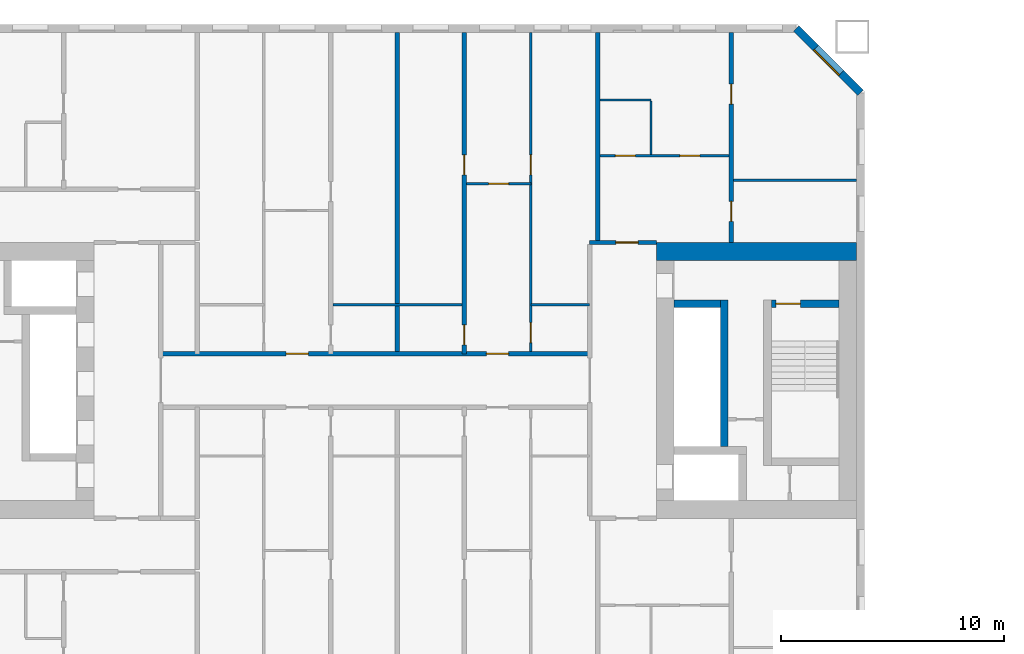
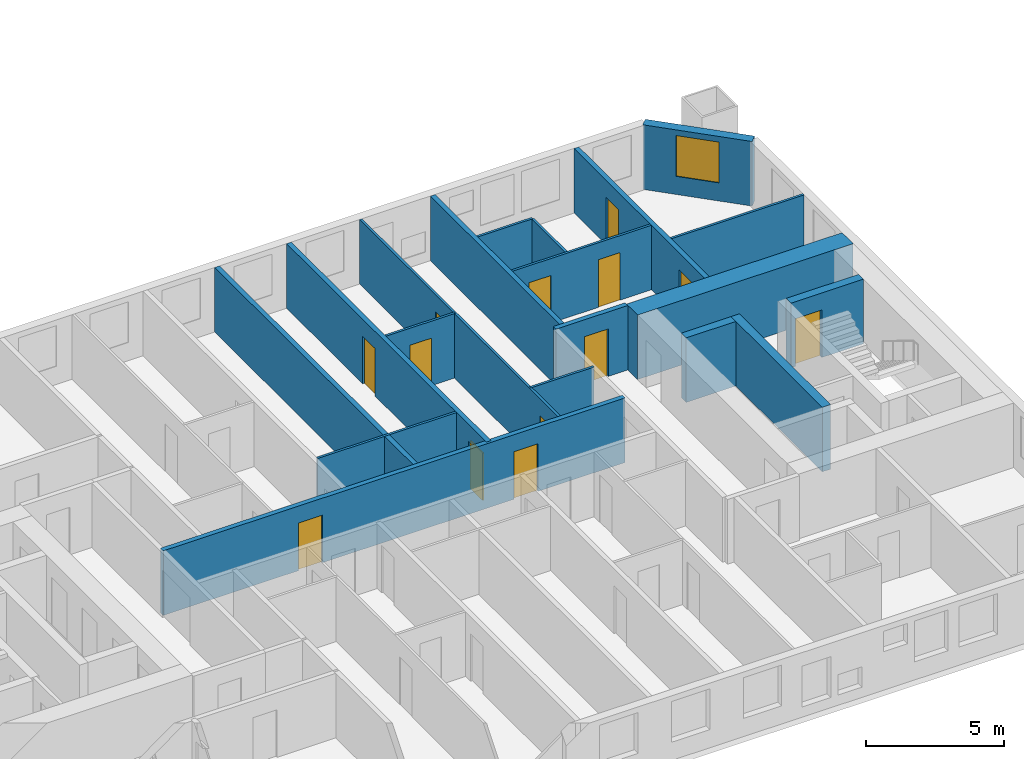
# One storey, part 8 of 17: 19 walls, 13 doors, 1 window, 14 openings.
"""IFC4 building model written with IfcOpenShell, lengths in metres."""

from ifc_helpers import new_model, si_unit, direction, frame, frame_2d, origin, place, context, subcontext, project, spatial, rectangle, extrude, material, layer, layer_set, type_object, element, fill, save


model = new_model("IFC4")

# Units and contexts
model_context = context("Model", 3, precision=1e-05, world=origin(), true_north=direction((0.0, 1.0)))
body_context = subcontext(model_context, "Body", "Model", "MODEL_VIEW")
ifc_project = project(units=[si_unit("LENGTHUNIT", "METRE"), si_unit("AREAUNIT", "SQUARE_METRE"), si_unit("VOLUMEUNIT", "CUBIC_METRE"), si_unit("PLANEANGLEUNIT", "RADIAN"), si_unit("MASSUNIT", "GRAM", prefix="KILO")], contexts=[model_context])

# Site, building, storey
site_placement = place(None, origin())
site = spatial("IfcSite", under=ifc_project, at=site_placement, CompositionType="ELEMENT")
building_placement = place(site_placement, origin())
building = spatial("IfcBuilding", under=site, at=building_placement, Name="Tuart Gate Housing", CompositionType="ELEMENT")
storey_placement = place(building_placement, frame((0.0, 0.0, 50.5)))
storey = spatial("IfcBuildingStorey", under=building, at=storey_placement, Name="L13", CompositionType="ELEMENT", Elevation=50.5)

# Wall, opening, window
ifc_material_1 = material(Name="Brick", Category="masonry")
ifc_layer_1 = layer(ifc_material_1, 0.360107421875)
ifc_layer_set_1 = layer_set([ifc_layer_1], Name="Brick pier and spandrel wall 360")
wall_type_1 = type_object("IfcWallType", Name="Brick pier and spandrel wall 360", PredefinedType="STANDARD", material=ifc_layer_set_1)
wall_1_placement = place(storey_placement, frame((75.820068359375, 82.92529296875, 0.0), z_axis=(0.0, 0.0, 1.0), x_axis=(-0.707106781187, 0.707106781187, 0.0)))
wall_1 = element("IfcWall", 1, at=wall_1_placement, inside=storey, type_object=wall_type_1, Name="External wall A-NE L13", PredefinedType="STANDARD", context=body_context, shape_type="SweptSolid", body=[
    extrude(rectangle(XDim=4.09375, YDim=0.360107421875, at=frame_2d((2.046875, 0.0))), origin(), (0.0, 0.0, 1.0), 2.85009765625),
])
opening_1_placement = place(wall_1_placement, frame((1.2470703125, 0.0, 0.800048828125)))
opening_1 = element("IfcOpeningElement", 2, at=opening_1_placement, cuts=wall_1, Name="Opening W1", PredefinedType="OPENING", context=body_context, shape_type="SweptSolid", body=[
    extrude(rectangle(XDim=1.60009765625, YDim=1.800048828125, at=frame_2d((0.800048828125, 0.89990234375))), frame((0.0, 0.18994140625, 0.0), z_axis=(0.0, -1.0, 0.0), x_axis=(1.0, 0.0, 0.0)), (0.0, 0.0, 1.0), 0.380126953125),
])
ifc_material_2 = material(Name="Aluminium frame with clear glass", Category="aluminium")
window_type = type_object("IfcWindowType", Name="Punched window 1600 x 1800", PartitioningType="SINGLE_PANEL", PredefinedType="WINDOW", material=ifc_material_2)
window_placement = place(opening_1_placement, origin())
window = element("IfcWindow", 3, at=window_placement, inside=storey, type_object=window_type, Name="Window W1", OverallHeight=1.800048828125, OverallWidth=1.60009765625, PartitioningType="SINGLE_PANEL", PredefinedType="WINDOW", context=body_context, shape_type="SweptSolid", body=[
    extrude(rectangle(XDim=1.60009765625, YDim=1.800048828125, at=frame_2d((0.800048828125, 0.89990234375))), frame((0.0, 0.150146484375, 0.0), z_axis=(0.0, -1.0, 0.0), x_axis=(1.0, 0.0, 0.0)), (0.0, 0.0, 1.0), 0.06005859375),
])
fill(opening_1, window)

# Wall
ifc_material_3 = material(Name="Concrete C60", Category="concrete")
ifc_layer_2 = layer(ifc_material_3, 0.35009765625)
ifc_layer_set_2 = layer_set([ifc_layer_2], Name="Core wall 350 C60")
wall_type_2 = type_object("IfcWallType", Name="Core wall 350 C60", PredefinedType="SHEAR", material=ifc_layer_set_2)
wall_2_placement = place(storey_placement, frame((67.43994140625, 73.449951171875, 0.0), z_axis=(0.0, 0.0, 1.0), x_axis=(1.0, 0.0, 0.0)))
element("IfcWall", 4, at=wall_2_placement, inside=storey, type_object=wall_type_2, Name="Core wall AG.4", PredefinedType="SHEAR", context=body_context, shape_type="SweptSolid", body=[
    extrude(rectangle(XDim=2.074951171875, YDim=0.35009765625, at=frame_2d((1.03759765625, 0.0))), origin(), (0.0, 0.0, 1.0), 2.85009765625),
])

# Wall, opening, door
wall_3_placement = place(storey_placement, frame((71.81494140625, 73.449951171875, 0.0), z_axis=(0.0, 0.0, 1.0), x_axis=(1.0, 0.0, 0.0)))
wall_3 = element("IfcWall", 5, at=wall_3_placement, inside=storey, type_object=wall_type_2, Name="Core wall AG.5", PredefinedType="SHEAR", context=body_context, shape_type="SweptSolid", body=[
    extrude(rectangle(XDim=3.025146484375, YDim=0.35009765625, at=frame_2d((1.5126953125, 0.0))), origin(), (0.0, 0.0, 1.0), 2.85009765625),
])
opening_2_placement = place(wall_3_placement, frame((0.195068359375, 0.0, 0.0)))
opening_2 = element("IfcOpeningElement", 6, at=opening_2_placement, cuts=wall_3, Name="Opening D615", PredefinedType="OPENING", context=body_context, shape_type="SweptSolid", body=[
    extrude(rectangle(XDim=1.10009765625, YDim=2.10009765625, at=frame_2d((0.550048828125, 1.050048828125))), frame((0.0, 0.18505859375, 0.0), z_axis=(0.0, -1.0, 0.0), x_axis=(1.0, 0.0, 0.0)), (0.0, 0.0, 1.0), 0.3701171875),
])
ifc_material_4 = material(Name="Steel fire door", Category="steel")
door_type_1 = type_object("IfcDoorType", Name="Stair door 1100 x 2100 RH", OperationType="SINGLE_SWING_RIGHT", PredefinedType="DOOR", material=ifc_material_4)
door_1_placement = place(opening_2_placement, frame((1.10009765625, 0.0, 0.0), z_axis=(0.0, 0.0, 1.0), x_axis=(-1.0, 0.0, 0.0)))
door_1 = element("IfcDoor", 7, at=door_1_placement, inside=storey, type_object=door_type_1, Name="Stair door AG.SD", OperationType="SINGLE_SWING_RIGHT", OverallHeight=2.10009765625, OverallWidth=1.10009765625, PredefinedType="DOOR", context=body_context, shape_type="SweptSolid", body=[
    extrude(rectangle(XDim=1.10009765625, YDim=2.10009765625, at=frame_2d((0.550048828125, 1.050048828125))), frame((0.0, 0.025146484375, 0.0), z_axis=(0.0, -1.0, 0.0), x_axis=(1.0, 0.0, 0.0)), (0.0, 0.0, 1.0), 0.050048828125),
])
fill(opening_2, door_1)

# Walls
wall_4_placement = place(storey_placement, frame((69.68994140625, 67.02490234375, 0.0), z_axis=(0.0, 0.0, 1.0), x_axis=(0.0, 1.0, 0.0)))
element("IfcWall", 8, at=wall_4_placement, inside=storey, type_object=wall_type_2, Name="Core wall AG.6", PredefinedType="SHEAR", context=body_context, shape_type="SweptSolid", body=[
    extrude(rectangle(XDim=6.60009765625, YDim=0.35009765625, at=frame_2d((3.300048828125, 0.0))), origin(), (0.0, 0.0, 1.0), 2.85009765625),
])
ifc_material_5 = material(Name="Concrete C60", Category="concrete")
ifc_layer_3 = layer(ifc_material_5, 0.800048828125)
ifc_layer_set_3 = layer_set([ifc_layer_3], Name="Core wall 800 C60")
wall_type_3 = type_object("IfcWallType", Name="Core wall 800 C60", PredefinedType="SHEAR", material=ifc_layer_set_3)
wall_5_placement = place(storey_placement, frame((66.639892578125, 75.800048828125, 0.0), z_axis=(0.0, 0.0, 1.0), x_axis=(1.0, 0.0, 0.0)))
element("IfcWall", 9, at=wall_5_placement, inside=storey, type_object=wall_type_3, Name="Core wall AG north", PredefinedType="SHEAR", context=body_context, shape_type="SweptSolid", body=[
    extrude(rectangle(XDim=9.0, YDim=0.800048828125, at=frame_2d((4.5, 0.0))), origin(), (0.0, 0.0, 1.0), 2.85009765625),
])

# Wall, openings, doors
ifc_material_6 = material(Name="Concrete masonry 15 MPa", Category="masonry")
ifc_layer_4 = layer(ifc_material_6, 0.199951171875)
ifc_layer_set_4 = layer_set([ifc_layer_4], Name="Corridor wall masonry 200")
wall_type_4 = type_object("IfcWallType", Name="Corridor wall masonry 200", PredefinedType="PARTITIONING", material=ifc_layer_set_4)
wall_6_placement = place(storey_placement, frame((44.360107421875, 71.199951171875, 0.0), z_axis=(0.0, 0.0, 1.0), x_axis=(1.0, 0.0, 0.0)))
wall_6 = element("IfcWall", 10, at=wall_6_placement, inside=storey, type_object=wall_type_4, Name="Corridor wall masonry 200", PredefinedType="PARTITIONING", context=body_context, shape_type="SweptSolid", body=[
    extrude(rectangle(XDim=19.27978515625, YDim=0.199951171875, at=frame_2d((9.639892578125, 0.0))), origin(), (0.0, 0.0, 1.0), 2.85009765625),
])
opening_3_placement = place(wall_6_placement, frame((14.639892578125, 0.0, 0.0)))
opening_3 = element("IfcOpeningElement", 11, at=opening_3_placement, cuts=wall_6, Name="Opening D617", PredefinedType="OPENING", context=body_context, shape_type="SweptSolid", body=[
    extrude(rectangle(XDim=1.0, YDim=2.10009765625, at=frame_2d((0.5, 1.050048828125))), frame((0.0, 0.10986328125, 0.0), z_axis=(0.0, -1.0, 0.0), x_axis=(1.0, 0.0, 0.0)), (0.0, 0.0, 1.0), 0.219970703125),
])
opening_4_placement = place(wall_6_placement, frame((5.639892578125, 0.0, 0.0)))
opening_4 = element("IfcOpeningElement", 12, at=opening_4_placement, cuts=wall_6, Name="Opening D618", PredefinedType="OPENING", context=body_context, shape_type="SweptSolid", body=[
    extrude(rectangle(XDim=1.0, YDim=2.10009765625, at=frame_2d((0.5, 1.050048828125))), frame((0.0, 0.10986328125, 0.0), z_axis=(0.0, -1.0, 0.0), x_axis=(1.0, 0.0, 0.0)), (0.0, 0.0, 1.0), 0.219970703125),
])
ifc_material_7 = material(Name="Timber door leaf in steel frame", Category="steel")
door_type_2 = type_object("IfcDoorType", Name="Flat entrance door 1000", OperationType="SINGLE_SWING_LEFT", PredefinedType="DOOR", material=ifc_material_7)
door_2_placement = place(opening_3_placement, origin())
door_2 = element("IfcDoor", 13, at=door_2_placement, inside=storey, type_object=door_type_2, Name="Flat entrance door", OperationType="SINGLE_SWING_LEFT", OverallHeight=2.10009765625, OverallWidth=1.0, PredefinedType="DOOR", context=body_context, shape_type="SweptSolid", body=[
    extrude(rectangle(XDim=1.0, YDim=2.10009765625, at=frame_2d((0.5, 1.050048828125))), frame((0.0, 0.02490234375, 0.0), z_axis=(0.0, -1.0, 0.0), x_axis=(1.0, 0.0, 0.0)), (0.0, 0.0, 1.0), 0.050048828125),
])
fill(opening_3, door_2)
door_3_placement = place(opening_4_placement, origin())
door_3 = element("IfcDoor", 14, at=door_3_placement, inside=storey, type_object=door_type_2, Name="Flat entrance door", OperationType="SINGLE_SWING_LEFT", OverallHeight=2.10009765625, OverallWidth=1.0, PredefinedType="DOOR", context=body_context, shape_type="SweptSolid", body=[
    extrude(rectangle(XDim=1.0, YDim=2.10009765625, at=frame_2d((0.5, 1.050048828125))), frame((0.0, 0.02490234375, 0.0), z_axis=(0.0, -1.0, 0.0), x_axis=(1.0, 0.0, 0.0)), (0.0, 0.0, 1.0), 0.050048828125),
])
fill(opening_4, door_3)

# Wall, opening, door
ifc_material_8 = material(Name="Concrete masonry 15 MPa", Category="masonry")
ifc_layer_5 = layer(ifc_material_8, 0.199951171875)
ifc_layer_set_5 = layer_set([ifc_layer_5], Name="Enclosure wall masonry 200")
wall_type_5 = type_object("IfcWallType", Name="Enclosure wall masonry 200", PredefinedType="PARTITIONING", material=ifc_layer_set_5)
wall_7_placement = place(storey_placement, frame((63.639892578125, 76.199951171875, 0.0), z_axis=(0.0, 0.0, 1.0), x_axis=(1.0, 0.0, 0.0)))
wall_7 = element("IfcWall", 15, at=wall_7_placement, inside=storey, type_object=wall_type_5, Name="Enclosure wall masonry 200", PredefinedType="PARTITIONING", context=body_context, shape_type="SweptSolid", body=[
    extrude(rectangle(XDim=3.0, YDim=0.199951171875, at=frame_2d((1.5, 0.0))), origin(), (0.0, 0.0, 1.0), 2.85009765625),
])
opening_5_placement = place(wall_7_placement, frame((1.179931640625, 0.0, 0.0)))
opening_5 = element("IfcOpeningElement", 16, at=opening_5_placement, cuts=wall_7, Name="Opening D614", PredefinedType="OPENING", context=body_context, shape_type="SweptSolid", body=[
    extrude(rectangle(XDim=1.0, YDim=2.10009765625, at=frame_2d((0.5, 1.050048828125))), frame((0.0, 0.10986328125, 0.0), z_axis=(0.0, -1.0, 0.0), x_axis=(1.0, 0.0, 0.0)), (0.0, 0.0, 1.0), 0.219970703125),
])
door_4_placement = place(opening_5_placement, origin())
door_4 = element("IfcDoor", 17, at=door_4_placement, inside=storey, type_object=door_type_2, Name="Flat entrance door", OperationType="SINGLE_SWING_LEFT", OverallHeight=2.10009765625, OverallWidth=1.0, PredefinedType="DOOR", context=body_context, shape_type="SweptSolid", body=[
    extrude(rectangle(XDim=1.0, YDim=2.10009765625, at=frame_2d((0.5, 1.050048828125))), frame((0.0, 0.02490234375, 0.0), z_axis=(0.0, -1.0, 0.0), x_axis=(1.0, 0.0, 0.0)), (0.0, 0.0, 1.0), 0.050048828125),
])
fill(opening_5, door_4)

# Walls
ifc_material_9 = material(Name="Gypsum board on steel studs", Category="steel")
ifc_layer_6 = layer(ifc_material_9, 0.10009765625)
ifc_layer_set_6 = layer_set([ifc_layer_6], Name="Partition 100")
wall_type_6 = type_object("IfcWallType", Name="Partition 100", PredefinedType="PARTITIONING", material=ifc_layer_set_6)
wall_8_placement = place(storey_placement, frame((52.10009765625, 73.39990234375, 0.0), z_axis=(0.0, 0.0, 1.0), x_axis=(1.0, 0.0, 0.0)))
element("IfcWall", 18, at=wall_8_placement, inside=storey, type_object=wall_type_6, Name="Partition 100", PredefinedType="PARTITIONING", context=body_context, shape_type="SweptSolid", body=[
    extrude(rectangle(XDim=5.7998046875, YDim=0.10009765625, at=frame_2d((2.89990234375, 0.0))), origin(), (0.0, 0.0, 1.0), 2.85009765625),
])
wall_9_placement = place(storey_placement, frame((61.0, 73.39990234375, 0.0), z_axis=(0.0, 0.0, 1.0), x_axis=(1.0, 0.0, 0.0)))
element("IfcWall", 19, at=wall_9_placement, inside=storey, type_object=wall_type_6, Name="Partition 100", PredefinedType="PARTITIONING", context=body_context, shape_type="SweptSolid", body=[
    extrude(rectangle(XDim=2.639892578125, YDim=0.10009765625, at=frame_2d((1.31982421875, 0.0))), origin(), (0.0, 0.0, 1.0), 2.85009765625),
])

# Wall, opening, door
wall_10_placement = place(storey_placement, frame((58.10009765625, 78.840087890625, 0.0), z_axis=(0.0, 0.0, 1.0), x_axis=(1.0, 0.0, 0.0)))
wall_10 = element("IfcWall", 20, at=wall_10_placement, inside=storey, type_object=wall_type_6, Name="Partition 100", PredefinedType="PARTITIONING", context=body_context, shape_type="SweptSolid", body=[
    extrude(rectangle(XDim=2.89990234375, YDim=0.10009765625, at=frame_2d((1.449951171875, 0.0))), origin(), (0.0, 0.0, 1.0), 2.85009765625),
])
opening_6_placement = place(wall_10_placement, frame((1.0, 0.0, 0.0)))
opening_6 = element("IfcOpeningElement", 21, at=opening_6_placement, cuts=wall_10, Name="Opening D599", PredefinedType="OPENING", context=body_context, shape_type="SweptSolid", body=[
    extrude(rectangle(XDim=0.89990234375, YDim=2.10009765625, at=frame_2d((0.449951171875, 1.050048828125))), frame((0.0, 0.06005859375, 0.0), z_axis=(0.0, -1.0, 0.0), x_axis=(1.0, 0.0, 0.0)), (0.0, 0.0, 1.0), 0.1201171875),
])
ifc_material_10 = material(Name="Timber door leaf in steel frame", Category="steel")
door_type_3 = type_object("IfcDoorType", Name="Internal door 900", OperationType="SINGLE_SWING_LEFT", PredefinedType="DOOR", material=ifc_material_10)
door_5_placement = place(opening_6_placement, frame((0.89990234375, 0.0, 0.0), z_axis=(0.0, 0.0, 1.0), x_axis=(-1.0, 0.0, 0.0)))
door_5 = element("IfcDoor", 22, at=door_5_placement, inside=storey, type_object=door_type_3, Name="Internal door", OperationType="SINGLE_SWING_LEFT", OverallHeight=2.10009765625, OverallWidth=0.89990234375, PredefinedType="DOOR", context=body_context, shape_type="SweptSolid", body=[
    extrude(rectangle(XDim=0.89990234375, YDim=2.10009765625, at=frame_2d((0.449951171875, 1.050048828125))), frame((0.0, 0.025146484375, 0.0), z_axis=(0.0, -1.0, 0.0), x_axis=(1.0, 0.0, 0.0)), (0.0, 0.0, 1.0), 0.050048828125),
])
fill(opening_6, door_5)

# Wall
wall_11_placement = place(storey_placement, frame((70.10009765625, 79.0, 0.0), z_axis=(0.0, 0.0, 1.0), x_axis=(1.0, 0.0, 0.0)))
element("IfcWall", 23, at=wall_11_placement, inside=storey, type_object=wall_type_6, Name="Partition 100", PredefinedType="PARTITIONING", context=body_context, shape_type="SweptSolid", body=[
    extrude(rectangle(XDim=5.539794921875, YDim=0.10009765625, at=frame_2d((2.77001953125, 0.0))), origin(), (0.0, 0.0, 1.0), 2.85009765625),
])

# Wall, openings, doors
wall_12_placement = place(storey_placement, frame((64.10009765625, 80.10009765625, 0.0), z_axis=(0.0, 0.0, 1.0), x_axis=(1.0, 0.0, 0.0)))
wall_12 = element("IfcWall", 24, at=wall_12_placement, inside=storey, type_object=wall_type_6, Name="Partition 100", PredefinedType="PARTITIONING", context=body_context, shape_type="SweptSolid", body=[
    extrude(rectangle(XDim=5.7998046875, YDim=0.10009765625, at=frame_2d((2.89990234375, 0.0))), origin(), (0.0, 0.0, 1.0), 2.85009765625),
])
opening_7_placement = place(wall_12_placement, frame((3.60009765625, 0.0, 0.0)))
opening_7 = element("IfcOpeningElement", 25, at=opening_7_placement, cuts=wall_12, Name="Opening D598", PredefinedType="OPENING", context=body_context, shape_type="SweptSolid", body=[
    extrude(rectangle(XDim=0.89990234375, YDim=2.10009765625, at=frame_2d((0.449951171875, 1.050048828125))), frame((0.0, 0.06005859375, 0.0), z_axis=(0.0, -1.0, 0.0), x_axis=(1.0, 0.0, 0.0)), (0.0, 0.0, 1.0), 0.1201171875),
])
opening_8_placement = place(wall_12_placement, frame((0.699951171875, 0.0, 0.0)))
opening_8 = element("IfcOpeningElement", 26, at=opening_8_placement, cuts=wall_12, Name="Opening D597", PredefinedType="OPENING", context=body_context, shape_type="SweptSolid", body=[
    extrude(rectangle(XDim=0.89990234375, YDim=2.10009765625, at=frame_2d((0.449951171875, 1.050048828125))), frame((0.0, 0.06005859375, 0.0), z_axis=(0.0, -1.0, 0.0), x_axis=(1.0, 0.0, 0.0)), (0.0, 0.0, 1.0), 0.1201171875),
])
ifc_material_11 = material(Name="Timber door leaf in steel frame", Category="steel")
door_type_4 = type_object("IfcDoorType", Name="Bathroom door 900 RH", OperationType="SINGLE_SWING_RIGHT", PredefinedType="DOOR", material=ifc_material_11)
door_6_placement = place(opening_8_placement, origin())
door_6 = element("IfcDoor", 27, at=door_6_placement, inside=storey, type_object=door_type_4, Name="Bathroom door", OperationType="SINGLE_SWING_RIGHT", OverallHeight=2.10009765625, OverallWidth=0.89990234375, PredefinedType="DOOR", context=body_context, shape_type="SweptSolid", body=[
    extrude(rectangle(XDim=0.89990234375, YDim=2.10009765625, at=frame_2d((0.449951171875, 1.050048828125))), frame((0.0, 0.02490234375, 0.0), z_axis=(0.0, -1.0, 0.0), x_axis=(1.0, 0.0, 0.0)), (0.0, 0.0, 1.0), 0.050048828125),
])
fill(opening_8, door_6)
door_7_placement = place(opening_7_placement, frame((0.89990234375, 0.0, 0.0), z_axis=(0.0, 0.0, 1.0), x_axis=(-1.0, 0.0, 0.0)))
door_7 = element("IfcDoor", 28, at=door_7_placement, inside=storey, type_object=door_type_3, Name="Internal door", OperationType="SINGLE_SWING_LEFT", OverallHeight=2.10009765625, OverallWidth=0.89990234375, PredefinedType="DOOR", context=body_context, shape_type="SweptSolid", body=[
    extrude(rectangle(XDim=0.89990234375, YDim=2.10009765625, at=frame_2d((0.449951171875, 1.050048828125))), frame((0.0, 0.025146484375, 0.0), z_axis=(0.0, -1.0, 0.0), x_axis=(1.0, 0.0, 0.0)), (0.0, 0.0, 1.0), 0.050048828125),
])
fill(opening_7, door_7)

# Wall
wall_13_placement = place(storey_placement, frame((64.10009765625, 82.60009765625, 0.0), z_axis=(0.0, 0.0, 1.0), x_axis=(1.0, 0.0, 0.0)))
element("IfcWall", 29, at=wall_13_placement, inside=storey, type_object=wall_type_6, Name="Partition 100", PredefinedType="PARTITIONING", context=body_context, shape_type="SweptSolid", body=[
    extrude(rectangle(XDim=2.2998046875, YDim=0.10009765625, at=frame_2d((1.14990234375, 0.0))), origin(), (0.0, 0.0, 1.0), 2.85009765625),
])

# Wall, openings, doors
wall_14_placement = place(storey_placement, frame((61.0, 71.300048828125, 0.0), z_axis=(0.0, 0.0, 1.0), x_axis=(0.0, 1.0, 0.0)))
wall_14 = element("IfcWall", 30, at=wall_14_placement, inside=storey, type_object=wall_type_6, Name="Partition 100", PredefinedType="PARTITIONING", context=body_context, shape_type="SweptSolid", body=[
    extrude(rectangle(XDim=14.33984375, YDim=0.10009765625, at=frame_2d((7.169921875, 0.0))), origin(), (0.0, 0.0, 1.0), 2.85009765625),
])
opening_9_placement = place(wall_14_placement, frame((7.93994140625, 0.0, 0.0)))
opening_9 = element("IfcOpeningElement", 31, at=opening_9_placement, cuts=wall_14, Name="Opening D606", PredefinedType="OPENING", context=body_context, shape_type="SweptSolid", body=[
    extrude(rectangle(XDim=0.89990234375, YDim=2.10009765625, at=frame_2d((0.449951171875, 1.050048828125))), frame((0.0, 0.06005859375, 0.0), z_axis=(0.0, -1.0, 0.0), x_axis=(1.0, 0.0, 0.0)), (0.0, 0.0, 1.0), 0.1201171875),
])
opening_10_placement = place(wall_14_placement, frame((0.39990234375, 0.0, 0.0)))
opening_10 = element("IfcOpeningElement", 32, at=opening_10_placement, cuts=wall_14, Name="Opening D605", PredefinedType="OPENING", context=body_context, shape_type="SweptSolid", body=[
    extrude(rectangle(XDim=0.89990234375, YDim=2.10009765625, at=frame_2d((0.449951171875, 1.050048828125))), frame((0.0, 0.06005859375, 0.0), z_axis=(0.0, -1.0, 0.0), x_axis=(1.0, 0.0, 0.0)), (0.0, 0.0, 1.0), 0.1201171875),
])
door_8_placement = place(opening_10_placement, frame((0.89990234375, 0.0, 0.0), z_axis=(0.0, 0.0, 1.0), x_axis=(-1.0, 0.0, 0.0)))
door_8 = element("IfcDoor", 33, at=door_8_placement, inside=storey, type_object=door_type_4, Name="Bathroom door", OperationType="SINGLE_SWING_RIGHT", OverallHeight=2.10009765625, OverallWidth=0.89990234375, PredefinedType="DOOR", context=body_context, shape_type="SweptSolid", body=[
    extrude(rectangle(XDim=0.89990234375, YDim=2.10009765625, at=frame_2d((0.449951171875, 1.050048828125))), frame((0.0, 0.025146484375, 0.0), z_axis=(0.0, -1.0, 0.0), x_axis=(1.0, 0.0, 0.0)), (0.0, 0.0, 1.0), 0.050048828125),
])
fill(opening_10, door_8)
door_9_placement = place(opening_9_placement, frame((0.89990234375, 0.0, 0.0), z_axis=(0.0, 0.0, 1.0), x_axis=(-1.0, 0.0, 0.0)))
door_9 = element("IfcDoor", 34, at=door_9_placement, inside=storey, type_object=door_type_3, Name="Internal door", OperationType="SINGLE_SWING_LEFT", OverallHeight=2.10009765625, OverallWidth=0.89990234375, PredefinedType="DOOR", context=body_context, shape_type="SweptSolid", body=[
    extrude(rectangle(XDim=0.89990234375, YDim=2.10009765625, at=frame_2d((0.449951171875, 1.050048828125))), frame((0.0, 0.025146484375, 0.0), z_axis=(0.0, -1.0, 0.0), x_axis=(1.0, 0.0, 0.0)), (0.0, 0.0, 1.0), 0.050048828125),
])
fill(opening_9, door_9)

# Wall
wall_15_placement = place(storey_placement, frame((66.39990234375, 80.14990234375, 0.0), z_axis=(0.0, 0.0, 1.0), x_axis=(0.0, 1.0, 0.0)))
element("IfcWall", 35, at=wall_15_placement, inside=storey, type_object=wall_type_6, Name="Partition 100", PredefinedType="PARTITIONING", context=body_context, shape_type="SweptSolid", body=[
    extrude(rectangle(XDim=2.400146484375, YDim=0.10009765625, at=frame_2d((1.2001953125, 0.0))), origin(), (0.0, 0.0, 1.0), 2.85009765625),
])

# Wall, openings, doors
ifc_material_12 = material(Name="Concrete C40", Category="concrete")
ifc_layer_7 = layer(ifc_material_12, 0.199951171875)
ifc_layer_set_7 = layer_set([ifc_layer_7], Name="Party wall concrete C40 200")
wall_type_7 = type_object("IfcWallType", Name="Party wall concrete C40 200", PredefinedType="SOLIDWALL", material=ifc_layer_set_7)
wall_16_placement = place(storey_placement, frame((58.0, 71.199951171875, 0.0), z_axis=(0.0, 0.0, 1.0), x_axis=(0.0, 1.0, 0.0)))
wall_16 = element("IfcWall", 36, at=wall_16_placement, inside=storey, type_object=wall_type_7, Name="Party wall concrete C40 200", PredefinedType="SOLIDWALL", context=body_context, shape_type="SweptSolid", body=[
    extrude(rectangle(XDim=14.43994140625, YDim=0.199951171875, at=frame_2d((7.219970703125, 0.0))), origin(), (0.0, 0.0, 1.0), 2.85009765625),
])
opening_11_placement = place(wall_16_placement, frame((8.0400390625, 0.0, 0.0)))
opening_11 = element("IfcOpeningElement", 37, at=opening_11_placement, cuts=wall_16, Name="Opening D610", PredefinedType="OPENING", context=body_context, shape_type="SweptSolid", body=[
    extrude(rectangle(XDim=0.89990234375, YDim=2.10009765625, at=frame_2d((0.449951171875, 1.050048828125))), frame((0.0, 0.10986328125, 0.0), z_axis=(0.0, -1.0, 0.0), x_axis=(1.0, 0.0, 0.0)), (0.0, 0.0, 1.0), 0.219970703125),
])
opening_12_placement = place(wall_16_placement, frame((0.39990234375, 0.0, 0.0)))
opening_12 = element("IfcOpeningElement", 38, at=opening_12_placement, cuts=wall_16, Name="Opening D609", PredefinedType="OPENING", context=body_context, shape_type="SweptSolid", body=[
    extrude(rectangle(XDim=0.89990234375, YDim=2.10009765625, at=frame_2d((0.449951171875, 1.050048828125))), frame((0.0, 0.10986328125, 0.0), z_axis=(0.0, -1.0, 0.0), x_axis=(1.0, 0.0, 0.0)), (0.0, 0.0, 1.0), 0.219970703125),
])
ifc_material_13 = material(Name="Timber door leaf in steel frame", Category="steel")
door_type_5 = type_object("IfcDoorType", Name="Bathroom door 900", OperationType="SINGLE_SWING_LEFT", PredefinedType="DOOR", material=ifc_material_13)
door_10_placement = place(opening_12_placement, origin())
door_10 = element("IfcDoor", 39, at=door_10_placement, inside=storey, type_object=door_type_5, Name="Bathroom door", OperationType="SINGLE_SWING_LEFT", OverallHeight=2.10009765625, OverallWidth=0.89990234375, PredefinedType="DOOR", context=body_context, shape_type="SweptSolid", body=[
    extrude(rectangle(XDim=0.89990234375, YDim=2.10009765625, at=frame_2d((0.449951171875, 1.050048828125))), frame((0.0, 0.02490234375, 0.0), z_axis=(0.0, -1.0, 0.0), x_axis=(1.0, 0.0, 0.0)), (0.0, 0.0, 1.0), 0.050048828125),
])
fill(opening_12, door_10)
ifc_material_14 = material(Name="Timber door leaf in steel frame", Category="steel")
door_type_6 = type_object("IfcDoorType", Name="Internal door 900 RH", OperationType="SINGLE_SWING_RIGHT", PredefinedType="DOOR", material=ifc_material_14)
door_11_placement = place(opening_11_placement, origin())
door_11 = element("IfcDoor", 40, at=door_11_placement, inside=storey, type_object=door_type_6, Name="Internal door", OperationType="SINGLE_SWING_RIGHT", OverallHeight=2.10009765625, OverallWidth=0.89990234375, PredefinedType="DOOR", context=body_context, shape_type="SweptSolid", body=[
    extrude(rectangle(XDim=0.89990234375, YDim=2.10009765625, at=frame_2d((0.449951171875, 1.050048828125))), frame((0.0, 0.02490234375, 0.0), z_axis=(0.0, -1.0, 0.0), x_axis=(1.0, 0.0, 0.0)), (0.0, 0.0, 1.0), 0.050048828125),
])
fill(opening_11, door_11)

# Wall
wall_17_placement = place(storey_placement, frame((64.0, 76.199951171875, 0.0), z_axis=(0.0, 0.0, 1.0), x_axis=(0.0, 1.0, 0.0)))
element("IfcWall", 41, at=wall_17_placement, inside=storey, type_object=wall_type_7, Name="Party wall concrete C40 200", PredefinedType="SOLIDWALL", context=body_context, shape_type="SweptSolid", body=[
    extrude(rectangle(XDim=9.43994140625, YDim=0.199951171875, at=frame_2d((4.719970703125, 0.0))), origin(), (0.0, 0.0, 1.0), 2.85009765625),
])

# Wall, openings, doors
wall_18_placement = place(storey_placement, frame((70.0, 76.199951171875, 0.0), z_axis=(0.0, 0.0, 1.0), x_axis=(0.0, 1.0, 0.0)))
wall_18 = element("IfcWall", 42, at=wall_18_placement, inside=storey, type_object=wall_type_7, Name="Party wall concrete C40 200", PredefinedType="SOLIDWALL", context=body_context, shape_type="SweptSolid", body=[
    extrude(rectangle(XDim=9.43994140625, YDim=0.199951171875, at=frame_2d((4.719970703125, 0.0))), origin(), (0.0, 0.0, 1.0), 2.85009765625),
])
opening_13_placement = place(wall_18_placement, frame((6.219970703125, 0.0, 0.0)))
opening_13 = element("IfcOpeningElement", 43, at=opening_13_placement, cuts=wall_18, Name="Opening D594", PredefinedType="OPENING", context=body_context, shape_type="SweptSolid", body=[
    extrude(rectangle(XDim=0.89990234375, YDim=2.10009765625, at=frame_2d((0.449951171875, 1.050048828125))), frame((0.0, 0.10986328125, 0.0), z_axis=(0.0, -1.0, 0.0), x_axis=(1.0, 0.0, 0.0)), (0.0, 0.0, 1.0), 0.219970703125),
])
opening_14_placement = place(wall_18_placement, frame((0.949951171875, 0.0, 0.0)))
opening_14 = element("IfcOpeningElement", 44, at=opening_14_placement, cuts=wall_18, Name="Opening D595", PredefinedType="OPENING", context=body_context, shape_type="SweptSolid", body=[
    extrude(rectangle(XDim=0.89990234375, YDim=2.10009765625, at=frame_2d((0.449951171875, 1.050048828125))), frame((0.0, 0.10986328125, 0.0), z_axis=(0.0, -1.0, 0.0), x_axis=(1.0, 0.0, 0.0)), (0.0, 0.0, 1.0), 0.219970703125),
])
door_12_placement = place(opening_13_placement, frame((0.89990234375, 0.0, 0.0), z_axis=(0.0, 0.0, 1.0), x_axis=(-1.0, 0.0, 0.0)))
door_12 = element("IfcDoor", 45, at=door_12_placement, inside=storey, type_object=door_type_3, Name="Internal door", OperationType="SINGLE_SWING_LEFT", OverallHeight=2.10009765625, OverallWidth=0.89990234375, PredefinedType="DOOR", context=body_context, shape_type="SweptSolid", body=[
    extrude(rectangle(XDim=0.89990234375, YDim=2.10009765625, at=frame_2d((0.449951171875, 1.050048828125))), frame((0.0, 0.025146484375, 0.0), z_axis=(0.0, -1.0, 0.0), x_axis=(1.0, 0.0, 0.0)), (0.0, 0.0, 1.0), 0.050048828125),
])
fill(opening_13, door_12)
door_13_placement = place(opening_14_placement, frame((0.89990234375, 0.0, 0.0), z_axis=(0.0, 0.0, 1.0), x_axis=(-1.0, 0.0, 0.0)))
door_13 = element("IfcDoor", 46, at=door_13_placement, inside=storey, type_object=door_type_6, Name="Internal door", OperationType="SINGLE_SWING_RIGHT", OverallHeight=2.10009765625, OverallWidth=0.89990234375, PredefinedType="DOOR", context=body_context, shape_type="SweptSolid", body=[
    extrude(rectangle(XDim=0.89990234375, YDim=2.10009765625, at=frame_2d((0.449951171875, 1.050048828125))), frame((0.0, 0.025146484375, 0.0), z_axis=(0.0, -1.0, 0.0), x_axis=(1.0, 0.0, 0.0)), (0.0, 0.0, 1.0), 0.050048828125),
])
fill(opening_14, door_13)

# Wall
ifc_material_15 = material(Name="Concrete masonry 15 MPa", Category="masonry")
ifc_layer_8 = layer(ifc_material_15, 0.199951171875)
ifc_layer_set_8 = layer_set([ifc_layer_8], Name="Party wall masonry 200")
wall_type_8 = type_object("IfcWallType", Name="Party wall masonry 200", PredefinedType="PARTITIONING", material=ifc_layer_set_8)
wall_19_placement = place(storey_placement, frame((55.0, 71.300048828125, 0.0), z_axis=(0.0, 0.0, 1.0), x_axis=(0.0, 1.0, 0.0)))
element("IfcWall", 47, at=wall_19_placement, inside=storey, type_object=wall_type_8, Name="Party wall masonry 200", PredefinedType="PARTITIONING", context=body_context, shape_type="SweptSolid", body=[
    extrude(rectangle(XDim=14.33984375, YDim=0.199951171875, at=frame_2d((7.169921875, 0.0))), origin(), (0.0, 0.0, 1.0), 2.85009765625),
])

save(model, "model.ifc")
